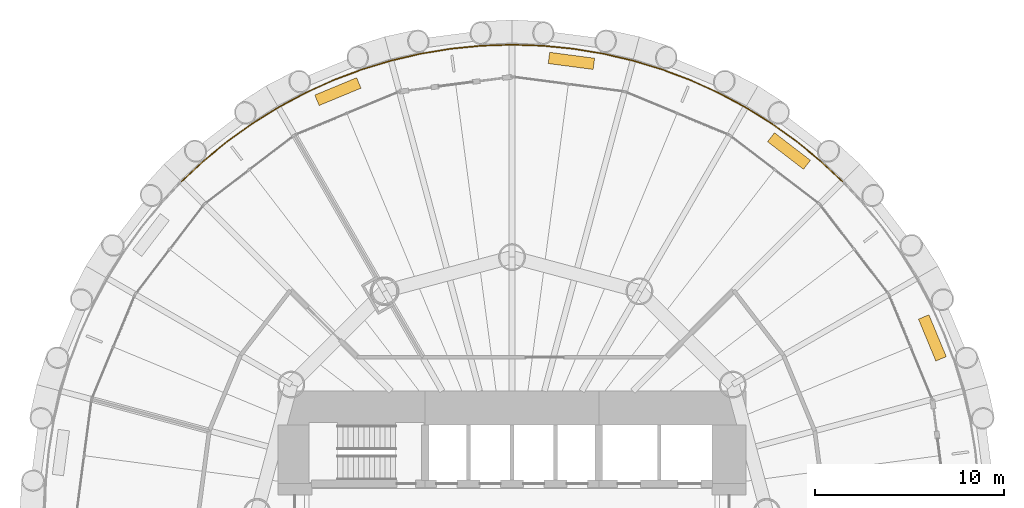
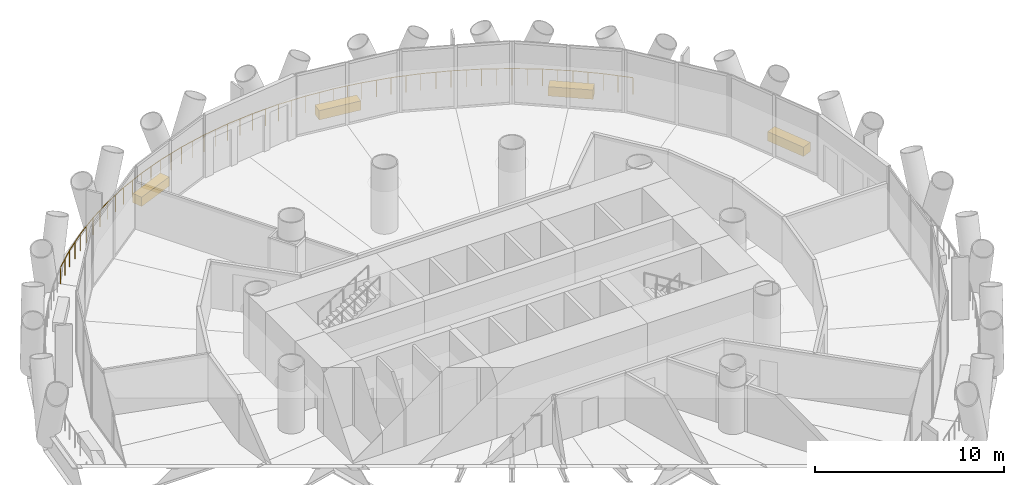
# One storey, part 14 of 14: 4 coverings, 1 railing.
"""IFC4 building model written with IfcOpenShell, lengths in metres."""

from ifc_helpers import new_model, si_unit, direction, frame, origin, origin_2d, place, context, subcontext, project, spatial, rectangle, circle, extrude, material, layer, layer_set, type_object, element, save


model = new_model("IFC4")

# Units and contexts
model_context = context("Model", 3, precision=1e-05, world=origin(), true_north=direction((0.0, 1.0)))
body_context = subcontext(model_context, "Body", "Model", "MODEL_VIEW")
ifc_project = project(units=[si_unit("LENGTHUNIT", "METRE"), si_unit("AREAUNIT", "SQUARE_METRE"), si_unit("VOLUMEUNIT", "CUBIC_METRE"), si_unit("PLANEANGLEUNIT", "RADIAN"), si_unit("MASSUNIT", "GRAM", prefix="KILO")], contexts=[model_context])

# Site, building, storey
site_placement = place(None, origin())
site = spatial("IfcSite", under=ifc_project, at=site_placement, CompositionType="ELEMENT")
building_placement = place(site_placement, origin())
building = spatial("IfcBuilding", under=site, at=building_placement, Name="Qaws Media Tower", CompositionType="ELEMENT")
storey_placement = place(building_placement, frame((0.0, 0.0, 93.199951171875)))
storey = spatial("IfcBuildingStorey", under=building, at=storey_placement, Name="L20", CompositionType="ELEMENT", Elevation=93.199951171875)

# Railing
ifc_material_1 = material(Name="Stainless steel and glass guard", Category="steel")
railing_type = type_object("IfcRailingType", Name="Balcony guard 1100", PredefinedType="GUARDRAIL", material=ifc_material_1)
railing_placement = place(storey_placement, frame((77.5009765625, 67.5009765625, 0.0)))
element("IfcRailing", 1, at=railing_placement, inside=storey, type_object=railing_type, Name="GR1 balcony guard L20-1", PredefinedType="GUARDRAIL", context=body_context, shape_type="SweptSolid", body=[
    extrude(circle(Radius=0.02392578125, at=origin_2d()), frame((0.0, 0.0, 1.076171875), z_axis=(-0.729866170297, 0.683590062432, 0.0), x_axis=(-0.683590062432, -0.729866170297, 0.0)), (0.0, 0.0, 1.0), 1.61962890625),
    extrude(circle(Radius=0.02392578125, at=origin_2d()), frame((-1.18212890625, 1.107177734375, 1.076171875), z_axis=(-0.773043042014, 0.634353572698, 0.0), x_axis=(-0.634353572698, -0.773043042014, 0.0)), (0.0, 0.0, 1.0), 1.61962890625),
    extrude(circle(Radius=0.02392578125, at=origin_2d()), frame((-2.43408203125, 2.134521484375, 1.076171875), z_axis=(-0.812887300094, 0.582421013826, 0.0), x_axis=(-0.582421013826, -0.812887300094, 0.0)), (0.0, 0.0, 1.0), 1.61962890625),
    extrude(circle(Radius=0.02392578125, at=origin_2d()), frame((-3.750732421875, 3.077880859375, 1.076171875), z_axis=(-0.849190316648, 0.528086930449, 0.0), x_axis=(-0.528086930449, -0.849190316648, 0.0)), (0.0, 0.0, 1.0), 1.619384765625),
    extrude(circle(Radius=0.02392578125, at=origin_2d()), frame((-5.1259765625, 3.93310546875, 1.076171875), z_axis=(-0.881947874294, 0.471346949738, 0.0), x_axis=(-0.471346949738, -0.881947874294, 0.0)), (0.0, 0.0, 1.0), 1.61962890625),
    extrude(circle(Radius=0.02392578125, at=origin_2d()), frame((-6.554443359375, 4.696533203125, 1.076171875), z_axis=(-0.910840848393, 0.412757736329, 0.0), x_axis=(-0.412757736329, -0.910840848393, 0.0)), (0.0, 0.0, 1.0), 1.619384765625),
    extrude(circle(Radius=0.02392578125, at=origin_2d()), frame((-8.029541015625, 5.364990234375, 1.076171875), z_axis=(-0.935901062927, 0.352262970537, 0.0), x_axis=(-0.352262970537, -0.935901062927, 0.0)), (0.0, 0.0, 1.0), 1.61962890625),
    extrude(circle(Radius=0.02392578125, at=origin_2d()), frame((-9.54541015625, 5.935546875, 1.076171875), z_axis=(-0.956925458438, 0.290333716596, 0.0), x_axis=(-0.290333716596, -0.956925458438, 0.0)), (0.0, 0.0, 1.0), 1.61962890625),
    extrude(circle(Radius=0.02392578125, at=origin_2d()), frame((-11.09521484375, 6.40576171875, 1.076171875), z_axis=(-0.973893440618, 0.227005652619, 0.0), x_axis=(-0.227005652619, -0.973893440618, 0.0)), (0.0, 0.0, 1.0), 1.61962890625),
    extrude(circle(Radius=0.02392578125, at=origin_2d()), frame((-12.672607421875, 6.7734375, 1.076171875), z_axis=(-0.986633248331, 0.162956538036, 0.0), x_axis=(-0.162956538036, -0.986633248331, 0.0)), (0.0, 0.0, 1.0), 1.61962890625),
    extrude(circle(Radius=0.02392578125, at=origin_2d()), frame((-14.2705078125, 7.037353515625, 1.076171875), z_axis=(-0.995188258587, 0.097981273566, 0.0), x_axis=(-0.097981273566, -0.995188258587, 0.0)), (0.0, 0.0, 1.0), 1.61962890625),
    extrude(circle(Radius=0.02392578125, at=origin_2d()), frame((-15.88232421875, 7.196044921875, 1.076171875), z_axis=(-0.999464803017, 0.032712498078, 0.0), x_axis=(-0.032712498078, -0.999464803017, 0.0)), (0.0, 0.0, 1.0), 1.61962890625),
    extrude(circle(Radius=0.02392578125, at=origin_2d()), frame((-17.5009765625, 7.2490234375, 1.076171875), z_axis=(-0.999464803017, -0.032712498078, 0.0), x_axis=(0.032712498078, -0.999464803017, 0.0)), (0.0, 0.0, 1.0), 1.61962890625),
    extrude(circle(Radius=0.02392578125, at=origin_2d()), frame((-19.11962890625, 7.196044921875, 1.076171875), z_axis=(-0.995188258587, -0.097981273566, 0.0), x_axis=(0.097981273566, -0.995188258587, 0.0)), (0.0, 0.0, 1.0), 1.61962890625),
    extrude(circle(Radius=0.02392578125, at=origin_2d()), frame((-20.7314453125, 7.037353515625, 1.076171875), z_axis=(-0.986633248331, -0.162956538036, 0.0), x_axis=(0.162956538036, -0.986633248331, 0.0)), (0.0, 0.0, 1.0), 1.61962890625),
    extrude(circle(Radius=0.02392578125, at=origin_2d()), frame((-22.329345703125, 6.7734375, 1.076171875), z_axis=(-0.973893440618, -0.227005652619, 0.0), x_axis=(0.227005652619, -0.973893440618, 0.0)), (0.0, 0.0, 1.0), 1.61962890625),
    extrude(circle(Radius=0.02392578125, at=origin_2d()), frame((-23.90673828125, 6.40576171875, 1.076171875), z_axis=(-0.956925458438, -0.290333716596, 0.0), x_axis=(0.290333716596, -0.956925458438, 0.0)), (0.0, 0.0, 1.0), 1.61962890625),
    extrude(circle(Radius=0.02392578125, at=origin_2d()), frame((-25.45654296875, 5.935546875, 1.076171875), z_axis=(-0.935901062927, -0.352262970537, 0.0), x_axis=(0.352262970537, -0.935901062927, 0.0)), (0.0, 0.0, 1.0), 1.61962890625),
    extrude(circle(Radius=0.02392578125, at=origin_2d()), frame((-26.972412109375, 5.364990234375, 1.076171875), z_axis=(-0.910840848393, -0.412757736329, 0.0), x_axis=(0.412757736329, -0.910840848393, 0.0)), (0.0, 0.0, 1.0), 1.619384765625),
    extrude(circle(Radius=0.02392578125, at=origin_2d()), frame((-28.447509765625, 4.696533203125, 1.076171875), z_axis=(-0.881947874294, -0.471346949738, 0.0), x_axis=(0.471346949738, -0.881947874294, 0.0)), (0.0, 0.0, 1.0), 1.61962890625),
    extrude(circle(Radius=0.02392578125, at=origin_2d()), frame((-29.8759765625, 3.93310546875, 1.076171875), z_axis=(-0.849190316648, -0.528086930449, 0.0), x_axis=(0.528086930449, -0.849190316648, 0.0)), (0.0, 0.0, 1.0), 1.619384765625),
    extrude(circle(Radius=0.02392578125, at=origin_2d()), frame((-31.251220703125, 3.077880859375, 1.076171875), z_axis=(-0.812887300094, -0.582421013826, 0.0), x_axis=(0.582421013826, -0.812887300094, 0.0)), (0.0, 0.0, 1.0), 1.61962890625),
    extrude(circle(Radius=0.02392578125, at=origin_2d()), frame((-32.56787109375, 2.134521484375, 1.076171875), z_axis=(-0.773043042014, -0.634353572698, 0.0), x_axis=(0.634353572698, -0.773043042014, 0.0)), (0.0, 0.0, 1.0), 1.61962890625),
    extrude(circle(Radius=0.02392578125, at=origin_2d()), frame((-33.81982421875, 1.107177734375, 1.076171875), z_axis=(-0.729866170297, -0.683590062432, 0.0), x_axis=(0.683590062432, -0.729866170297, 0.0)), (0.0, 0.0, 1.0), 1.61962890625),
    extrude(circle(Radius=0.02099609375, at=origin_2d()), origin(), (0.0, 0.0, 1.0), 1.052001953125),
    extrude(circle(Radius=0.02099609375, at=origin_2d()), frame((-0.591064453125, 0.5537109375, 0.0)), (0.0, 0.0, 1.0), 1.052001953125),
    extrude(circle(Radius=0.02099609375, at=origin_2d()), frame((-1.18212890625, 1.107177734375, 0.0)), (0.0, 0.0, 1.0), 1.052001953125),
    extrude(circle(Radius=0.02099609375, at=origin_2d()), frame((-1.80810546875, 1.620849609375, 0.0)), (0.0, 0.0, 1.0), 1.052001953125),
    extrude(circle(Radius=0.02099609375, at=origin_2d()), frame((-2.43408203125, 2.134521484375, 0.0)), (0.0, 0.0, 1.0), 1.052001953125),
    extrude(circle(Radius=0.02099609375, at=origin_2d()), frame((-3.09228515625, 2.606201171875, 0.0)), (0.0, 0.0, 1.0), 1.052001953125),
    extrude(circle(Radius=0.02099609375, at=origin_2d()), frame((-3.750732421875, 3.077880859375, 0.0)), (0.0, 0.0, 1.0), 1.052001953125),
    extrude(circle(Radius=0.02099609375, at=origin_2d()), frame((-4.4384765625, 3.50537109375, 0.0)), (0.0, 0.0, 1.0), 1.052001953125),
    extrude(circle(Radius=0.02099609375, at=origin_2d()), frame((-5.1259765625, 3.93310546875, 0.0)), (0.0, 0.0, 1.0), 1.052001953125),
    extrude(circle(Radius=0.02099609375, at=origin_2d()), frame((-5.84033203125, 4.31494140625, 0.0)), (0.0, 0.0, 1.0), 1.052001953125),
    extrude(circle(Radius=0.02099609375, at=origin_2d()), frame((-6.554443359375, 4.696533203125, 0.0)), (0.0, 0.0, 1.0), 1.052001953125),
    extrude(circle(Radius=0.02099609375, at=origin_2d()), frame((-7.2919921875, 5.03076171875, 0.0)), (0.0, 0.0, 1.0), 1.052001953125),
    extrude(circle(Radius=0.02099609375, at=origin_2d()), frame((-8.029541015625, 5.364990234375, 0.0)), (0.0, 0.0, 1.0), 1.052001953125),
    extrude(circle(Radius=0.02099609375, at=origin_2d()), frame((-8.78759765625, 5.650390625, 0.0)), (0.0, 0.0, 1.0), 1.052001953125),
    extrude(circle(Radius=0.02099609375, at=origin_2d()), frame((-9.54541015625, 5.935546875, 0.0)), (0.0, 0.0, 1.0), 1.052001953125),
    extrude(circle(Radius=0.02099609375, at=origin_2d()), frame((-10.3203125, 6.170654296875, 0.0)), (0.0, 0.0, 1.0), 1.052001953125),
    extrude(circle(Radius=0.02099609375, at=origin_2d()), frame((-11.09521484375, 6.40576171875, 0.0)), (0.0, 0.0, 1.0), 1.052001953125),
    extrude(circle(Radius=0.02099609375, at=origin_2d()), frame((-11.8837890625, 6.589599609375, 0.0)), (0.0, 0.0, 1.0), 1.052001953125),
    extrude(circle(Radius=0.02099609375, at=origin_2d()), frame((-12.672607421875, 6.7734375, 0.0)), (0.0, 0.0, 1.0), 1.052001953125),
    extrude(circle(Radius=0.02099609375, at=origin_2d()), frame((-13.4716796875, 6.9052734375, 0.0)), (0.0, 0.0, 1.0), 1.052001953125),
    extrude(circle(Radius=0.02099609375, at=origin_2d()), frame((-14.2705078125, 7.037353515625, 0.0)), (0.0, 0.0, 1.0), 1.052001953125),
    extrude(circle(Radius=0.02099609375, at=origin_2d()), frame((-15.076416015625, 7.11669921875, 0.0)), (0.0, 0.0, 1.0), 1.052001953125),
    extrude(circle(Radius=0.02099609375, at=origin_2d()), frame((-15.88232421875, 7.196044921875, 0.0)), (0.0, 0.0, 1.0), 1.052001953125),
    extrude(circle(Radius=0.02099609375, at=origin_2d()), frame((-16.691650390625, 7.22265625, 0.0)), (0.0, 0.0, 1.0), 1.052001953125),
    extrude(circle(Radius=0.02099609375, at=origin_2d()), frame((-17.5009765625, 7.2490234375, 0.0)), (0.0, 0.0, 1.0), 1.052001953125),
    extrude(circle(Radius=0.02099609375, at=origin_2d()), frame((-18.310302734375, 7.22265625, 0.0)), (0.0, 0.0, 1.0), 1.052001953125),
    extrude(circle(Radius=0.02099609375, at=origin_2d()), frame((-19.11962890625, 7.196044921875, 0.0)), (0.0, 0.0, 1.0), 1.052001953125),
    extrude(circle(Radius=0.02099609375, at=origin_2d()), frame((-19.925537109375, 7.11669921875, 0.0)), (0.0, 0.0, 1.0), 1.052001953125),
    extrude(circle(Radius=0.02099609375, at=origin_2d()), frame((-20.7314453125, 7.037353515625, 0.0)), (0.0, 0.0, 1.0), 1.052001953125),
    extrude(circle(Radius=0.02099609375, at=origin_2d()), frame((-21.5302734375, 6.9052734375, 0.0)), (0.0, 0.0, 1.0), 1.052001953125),
    extrude(circle(Radius=0.02099609375, at=origin_2d()), frame((-22.329345703125, 6.7734375, 0.0)), (0.0, 0.0, 1.0), 1.052001953125),
    extrude(circle(Radius=0.02099609375, at=origin_2d()), frame((-23.1181640625, 6.589599609375, 0.0)), (0.0, 0.0, 1.0), 1.052001953125),
    extrude(circle(Radius=0.02099609375, at=origin_2d()), frame((-23.90673828125, 6.40576171875, 0.0)), (0.0, 0.0, 1.0), 1.052001953125),
    extrude(circle(Radius=0.02099609375, at=origin_2d()), frame((-24.681640625, 6.170654296875, 0.0)), (0.0, 0.0, 1.0), 1.052001953125),
    extrude(circle(Radius=0.02099609375, at=origin_2d()), frame((-25.45654296875, 5.935546875, 0.0)), (0.0, 0.0, 1.0), 1.052001953125),
    extrude(circle(Radius=0.02099609375, at=origin_2d()), frame((-26.21435546875, 5.650390625, 0.0)), (0.0, 0.0, 1.0), 1.052001953125),
    extrude(circle(Radius=0.02099609375, at=origin_2d()), frame((-26.972412109375, 5.364990234375, 0.0)), (0.0, 0.0, 1.0), 1.052001953125),
    extrude(circle(Radius=0.02099609375, at=origin_2d()), frame((-27.7099609375, 5.03076171875, 0.0)), (0.0, 0.0, 1.0), 1.052001953125),
    extrude(circle(Radius=0.02099609375, at=origin_2d()), frame((-28.447509765625, 4.696533203125, 0.0)), (0.0, 0.0, 1.0), 1.052001953125),
    extrude(circle(Radius=0.02099609375, at=origin_2d()), frame((-29.16162109375, 4.31494140625, 0.0)), (0.0, 0.0, 1.0), 1.052001953125),
    extrude(circle(Radius=0.02099609375, at=origin_2d()), frame((-29.8759765625, 3.93310546875, 0.0)), (0.0, 0.0, 1.0), 1.052001953125),
    extrude(circle(Radius=0.02099609375, at=origin_2d()), frame((-30.5634765625, 3.50537109375, 0.0)), (0.0, 0.0, 1.0), 1.052001953125),
    extrude(circle(Radius=0.02099609375, at=origin_2d()), frame((-31.251220703125, 3.077880859375, 0.0)), (0.0, 0.0, 1.0), 1.052001953125),
    extrude(circle(Radius=0.02099609375, at=origin_2d()), frame((-31.90966796875, 2.606201171875, 0.0)), (0.0, 0.0, 1.0), 1.052001953125),
    extrude(circle(Radius=0.02099609375, at=origin_2d()), frame((-32.56787109375, 2.134521484375, 0.0)), (0.0, 0.0, 1.0), 1.052001953125),
    extrude(circle(Radius=0.02099609375, at=origin_2d()), frame((-33.19384765625, 1.620849609375, 0.0)), (0.0, 0.0, 1.0), 1.052001953125),
    extrude(circle(Radius=0.02099609375, at=origin_2d()), frame((-33.81982421875, 1.107177734375, 0.0)), (0.0, 0.0, 1.0), 1.052001953125),
    extrude(circle(Radius=0.02099609375, at=origin_2d()), frame((-34.410888671875, 0.5537109375, 0.0)), (0.0, 0.0, 1.0), 1.052001953125),
    extrude(circle(Radius=0.02099609375, at=origin_2d()), frame((-35.001953125, 0.0, 0.0)), (0.0, 0.0, 1.0), 1.052001953125),
])

# Coverings
ifc_material_2 = material(Name="Precast concrete planter with trailing planting", Category="concrete")
ifc_layer = layer(ifc_material_2, 0.60009765625)
ifc_layer_set = layer_set([ifc_layer], Name="Planter 2400x600")
covering_type = type_object("IfcCoveringType", Name="Planter 2400x600", PredefinedType="USERDEFINED", material=ifc_layer_set)
for number, where, z_axis, x_axis, name in (
    (2, (82.265380859375, 59.22265625, 0.0), (0.0, 0.0, 1.0), (-0.382683432365, 0.923879532511, 0.0), "PL1 balcony planter L20-01"),
    (3, (74.671142578125, 69.119873046875, 0.0), (0.0, 0.0, 1.0), (-0.793353340291, 0.608761429009, 0.0), "PL1 balcony planter L20-02"),
    (4, (63.145751953125, 73.893798828125, 0.0), (0.0, 0.0, 1.0), (-0.991444861374, 0.13052619222, 0.0), "PL1 balcony planter L20-03"),
    (5, (50.77734375, 72.265380859375, 0.0), (0.0, 0.0, 1.0), (-0.923879532511, -0.382683432365, 0.0), "PL1 balcony planter L20-04"),
):
    element("IfcCovering", number, at=place(storey_placement, frame(where, z_axis=z_axis, x_axis=x_axis)), inside=storey, type_object=covering_type, Name=name, ObjectType="PLANTER", PredefinedType="USERDEFINED", context=body_context, shape_type="SweptSolid", body=[
        extrude(rectangle(XDim=2.39990234375, YDim=0.60009765625, at=origin_2d()), origin(), (0.0, 0.0, 1.0), 0.60009765625),
    ])

save(model, "model.ifc")
